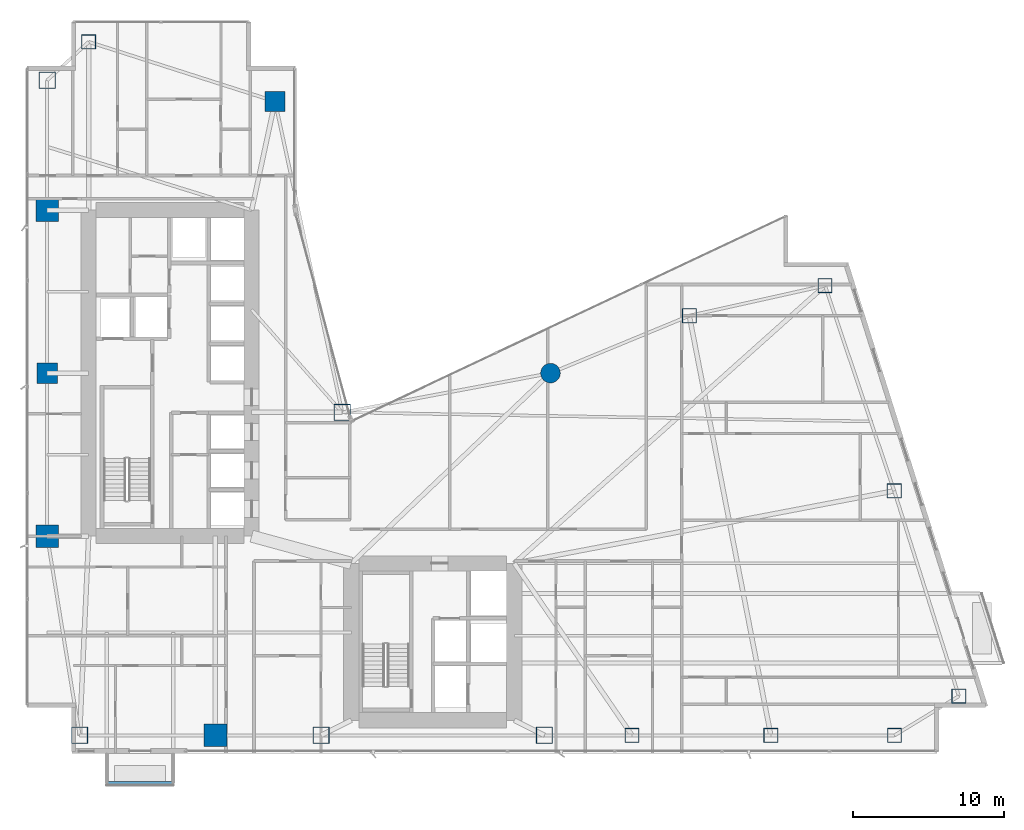
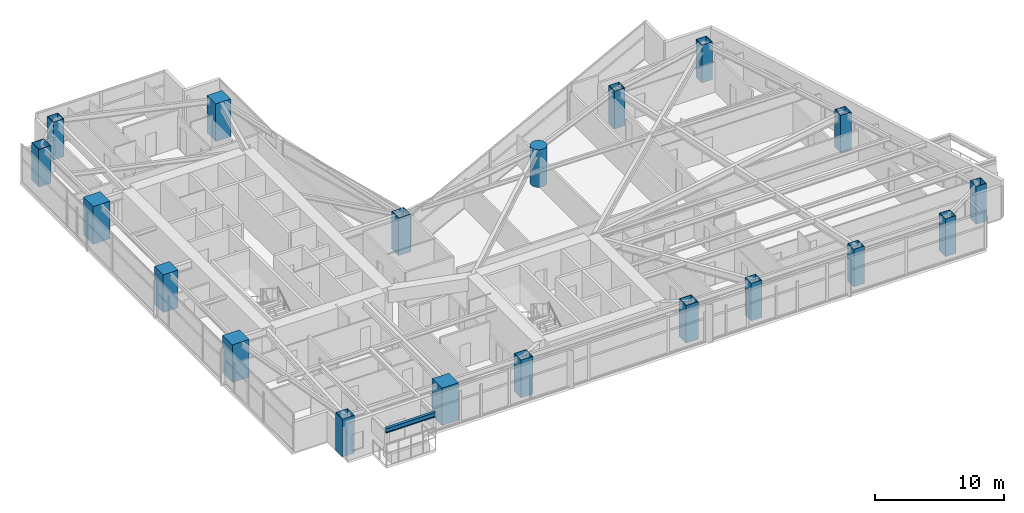
# One storey, part 1 of 30: 19 columns, 1 beam.
"""IFC4 building model written with IfcOpenShell, lengths in metres."""

from ifc_helpers import new_model, si_unit, direction, frame, origin, origin_2d, place, context, subcontext, project, spatial, rectangle, hollow_rectangle, circle, i_section, extrude, material, material_profile, profile_set, type_object, element, save


model = new_model("IFC4")

# Units and contexts
model_context = context("Model", 3, precision=1e-05, world=origin(), true_north=direction((0.0, 1.0)))
body_context = subcontext(model_context, "Body", "Model", "MODEL_VIEW")
ifc_project = project(units=[si_unit("LENGTHUNIT", "METRE"), si_unit("AREAUNIT", "SQUARE_METRE"), si_unit("VOLUMEUNIT", "CUBIC_METRE"), si_unit("PLANEANGLEUNIT", "RADIAN"), si_unit("MASSUNIT", "GRAM", prefix="KILO")], contexts=[model_context])

# Site, building, storey
site_placement = place(None, origin())
site = spatial("IfcSite", under=ifc_project, at=site_placement, CompositionType="ELEMENT")
building_placement = place(site_placement, origin())
building = spatial("IfcBuilding", under=site, at=building_placement, Name="Calvorn Quay Hotel", CompositionType="ELEMENT")
storey_placement = place(building_placement, frame((0.0, 0.0, 73.60009765625)))
storey = spatial("IfcBuildingStorey", under=building, at=storey_placement, Name="L17", CompositionType="ELEMENT", Elevation=73.60009765625)

# Columns
ifc_material_1 = material(Name="Concrete C60", Category="concrete")
ifc_material_profile_1 = material_profile(ifc_material_1, rectangle(XDim=1.35009765625, YDim=1.35009765625, at=origin_2d()), Name="RC1350x1350")
ifc_profile_set_1 = profile_set([ifc_material_profile_1], Name="Concrete C60")
column_type_1 = type_object("IfcColumnType", Name="COL-RC-1350", PredefinedType="COLUMN", material=ifc_profile_set_1)
for number, where, z_axis, x_axis, name in (
    (1, (1.449951171875, 27.60009765625, 0.0), (0.0, 0.0, 1.0), (1.0, 0.0, 0.0), "Column C-W3 (L17)"),
    (2, (16.550048828125, 45.60009765625, 0.0), (0.0, 0.0, 1.0), (1.0, 0.0, 0.0), "Column C-IC1 (L17)"),
):
    element("IfcColumn", number, at=place(storey_placement, frame(where, z_axis=z_axis, x_axis=x_axis)), inside=storey, type_object=column_type_1, Name=name, PredefinedType="COLUMN", context=body_context, shape_type="SweptSolid", body=[
        extrude(rectangle(XDim=1.35009765625, YDim=1.35009765625, at=origin_2d()), origin(), (0.0, 0.0, 1.0), 3.559814453125),
    ])
ifc_material_2 = material(Name="Concrete C60", Category="concrete")
ifc_material_profile_2 = material_profile(ifc_material_2, rectangle(XDim=1.5, YDim=1.5, at=origin_2d()), Name="RC1500x1500")
ifc_profile_set_2 = profile_set([ifc_material_profile_2], Name="Concrete C60")
column_type_2 = type_object("IfcColumnType", Name="COL-RC-1500", PredefinedType="COLUMN", material=ifc_profile_set_2)
for number, where, z_axis, x_axis, name in (
    (3, (1.449951171875, 16.800048828125, 0.0), (0.0, 0.0, 1.0), (1.0, 0.0, 0.0), "Column C-W2 (L17)"),
    (4, (1.449951171875, 38.39990234375, 0.0), (0.0, 0.0, 1.0), (1.0, 0.0, 0.0), "Column C-W4 (L17)"),
    (5, (12.60009765625, 3.60009765625, 0.0), (0.0, 0.0, 1.0), (1.0, 0.0, 0.0), "Column C-S1 (L17)"),
):
    element("IfcColumn", number, at=place(storey_placement, frame(where, z_axis=z_axis, x_axis=x_axis)), inside=storey, type_object=column_type_2, Name=name, PredefinedType="COLUMN", context=body_context, shape_type="SweptSolid", body=[
        extrude(rectangle(XDim=1.5, YDim=1.5, at=origin_2d()), origin(), (0.0, 0.0, 1.0), 3.559814453125),
    ])
ifc_material_3 = material(Name="Concrete C60", Category="concrete")
ifc_material_profile_3 = material_profile(ifc_material_3, circle(Radius=0.64990234375, at=origin_2d()), Name="RCD1300")
ifc_profile_set_3 = profile_set([ifc_material_profile_3], Name="Concrete C60")
column_type_3 = type_object("IfcColumnType", Name="COL-RC-D1300", PredefinedType="COLUMN", material=ifc_profile_set_3)
column_placement = place(storey_placement, frame((34.800048828125, 27.60009765625, 0.0), z_axis=(0.0, 0.0, 1.0), x_axis=(1.0, 0.0, 0.0)))
element("IfcColumn", 6, at=column_placement, inside=storey, type_object=column_type_3, Name="Column C-NC1 (L17)", PredefinedType="COLUMN", context=body_context, shape_type="SweptSolid", body=[
    extrude(circle(Radius=0.64990234375, at=origin_2d()), origin(), (0.0, 0.0, 1.0), 3.559814453125),
])
ifc_material_4 = material(Name="Steel Q420GJC", Category="steel")
ifc_material_profile_4 = material_profile(ifc_material_4, hollow_rectangle(XDim=1.10009765625, YDim=1.10009765625, WallThickness=0.044921875, at=origin_2d()), Name="BOX1100x1100x45")
ifc_profile_set_4 = profile_set([ifc_material_profile_4], Name="Steel Q420GJC")
column_type_4 = type_object("IfcColumnType", Name="COL-STL-MEGA1", PredefinedType="COLUMN", material=ifc_profile_set_4)
for number, where, z_axis, x_axis, name in (
    (7, (3.60009765625, 3.60009765625, 0.0), (0.0, 0.0, 1.0), (1.0, 0.0, 0.0), "Column C-W1 (L17)"),
    (8, (1.449951171875, 47.0, 0.0), (0.0, 0.0, 1.0), (1.0, 0.0, 0.0), "Column C-W5 (L17)"),
    (9, (21.0, 25.0, 0.0), (0.0, 0.0, 1.0), (1.0, 0.0, 0.0), "Column C-IC2 (L17)"),
    (10, (19.60009765625, 3.60009765625, 0.0), (0.0, 0.0, 1.0), (1.0, 0.0, 0.0), "Column C-S2 (L17)"),
    (11, (34.39990234375, 3.60009765625, 0.0), (0.0, 0.0, 1.0), (1.0, 0.0, 0.0), "Column C-S3 (L17)"),
):
    element("IfcColumn", number, at=place(storey_placement, frame(where, z_axis=z_axis, x_axis=x_axis)), inside=storey, type_object=column_type_4, Name=name, PredefinedType="COLUMN", context=body_context, shape_type="SweptSolid", body=[
        extrude(hollow_rectangle(XDim=1.10009765625, YDim=1.10009765625, WallThickness=0.044921875, at=origin_2d()), origin(), (0.0, 0.0, 1.0), 3.559814453125),
    ])
ifc_material_5 = material(Name="Steel Q420GJC", Category="steel")
ifc_material_profile_5 = material_profile(ifc_material_5, hollow_rectangle(XDim=0.949951171875, YDim=0.949951171875, WallThickness=0.0400390625, at=origin_2d()), Name="BOX950x950x40")
ifc_profile_set_5 = profile_set([ifc_material_profile_5], Name="Steel Q420GJC")
column_type_5 = type_object("IfcColumnType", Name="COL-STL-MEGA2", PredefinedType="COLUMN", material=ifc_profile_set_5)
for number, where, z_axis, x_axis, name in (
    (12, (4.199951171875, 49.550048828125, 0.0), (0.0, 0.0, 1.0), (1.0, 0.0, 0.0), "Column C-NW1 (L17)"),
    (13, (40.199951171875, 3.60009765625, 0.0), (0.0, 0.0, 1.0), (1.0, 0.0, 0.0), "Column C-S4 (L17)"),
    (14, (49.39990234375, 3.60009765625, 0.0), (0.0, 0.0, 1.0), (1.0, 0.0, 0.0), "Column C-S5 (L17)"),
    (15, (57.60009765625, 3.60009765625, 0.0), (0.0, 0.0, 1.0), (1.0, 0.0, 0.0), "Column C-S6 (L17)"),
    (16, (44.0, 31.39990234375, 0.0), (0.0, 0.0, 1.0), (1.0, 0.0, 0.0), "Column C-NC2 (L17)"),
    (17, (61.861083984375, 6.199951171875, 0.0), (0.0, 0.0, 1.0), (1.0, 0.0, 0.0), "Column C-ET1 (L17)"),
    (18, (57.575927734375, 19.800048828125, 0.0), (0.0, 0.0, 1.0), (1.0, 0.0, 0.0), "Column C-ET2 (L17)"),
    (19, (52.990966796875, 33.39990234375, 0.0), (0.0, 0.0, 1.0), (1.0, 0.0, 0.0), "Column C-ET3 (L17)"),
):
    element("IfcColumn", number, at=place(storey_placement, frame(where, z_axis=z_axis, x_axis=x_axis)), inside=storey, type_object=column_type_5, Name=name, PredefinedType="COLUMN", context=body_context, shape_type="SweptSolid", body=[
        extrude(hollow_rectangle(XDim=0.949951171875, YDim=0.949951171875, WallThickness=0.0400390625, at=origin_2d()), origin(), (0.0, 0.0, 1.0), 3.559814453125),
    ])

# Beam
ifc_material_6 = material(Name="Steel Q355B", Category="steel")
ifc_material_profile_6 = material_profile(ifc_material_6, i_section(OverallWidth=0.25, OverallDepth=0.449951171875, WebThickness=0.011962890625, FlangeThickness=0.01611328125, FilletRadius=0.01611328125, at=origin_2d()), Name="HN450x250x12x16")
ifc_profile_set_6 = profile_set([ifc_material_profile_6], Name="Steel Q355B")
beam_type = type_object("IfcBeamType", Name="BM-CANT-BALC", PredefinedType="BEAM", material=ifc_profile_set_6)
beam_placement = place(storey_placement, frame((5.39990234375, 0.409912109375, 3.31494140625), z_axis=(1.0, 0.0, 0.0), x_axis=(0.0, 1.0, 0.0)))
element("IfcBeam", 20, at=beam_placement, inside=storey, type_object=beam_type, Name="Beam BCBO-L18-2", PredefinedType="BEAM", context=body_context, shape_type="SweptSolid", body=[
    extrude(i_section(OverallWidth=0.25, OverallDepth=0.449951171875, WebThickness=0.011962890625, FlangeThickness=0.01611328125, FilletRadius=0.01611328125, at=origin_2d()), origin(), (0.0, 0.0, 1.0), 4.400146484375),
])

save(model, "model.ifc")
